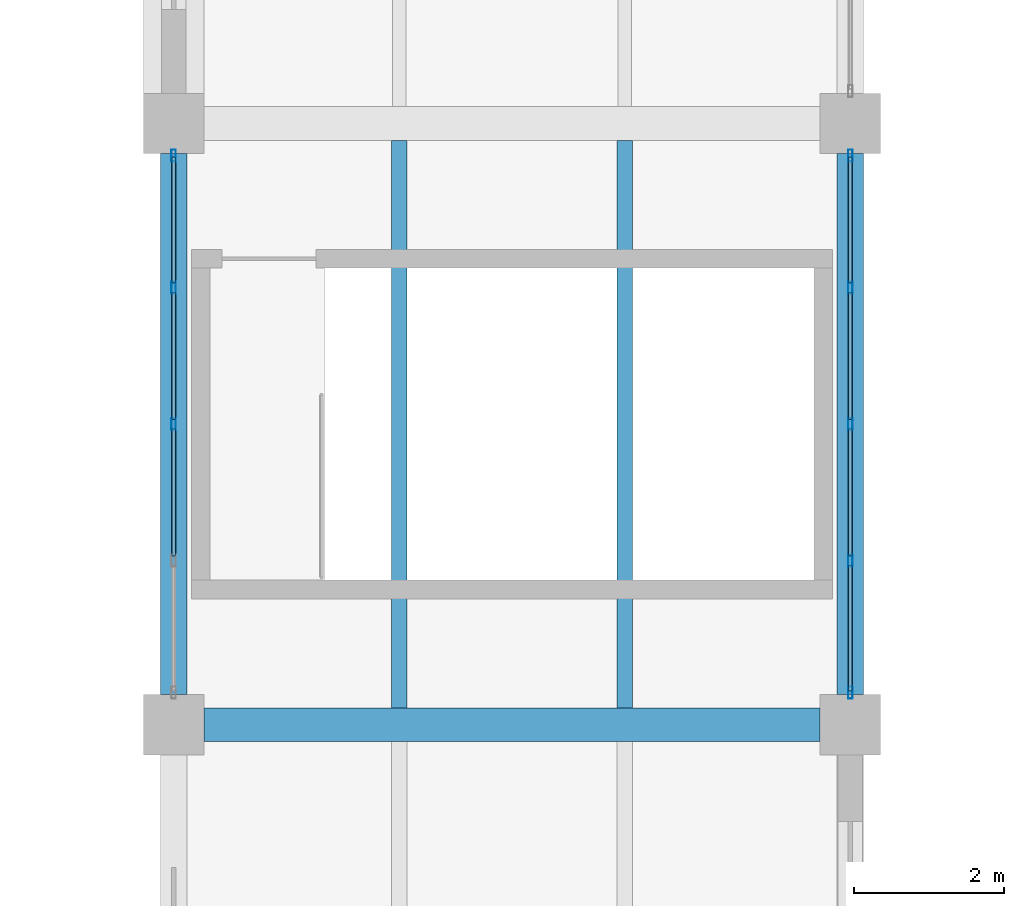
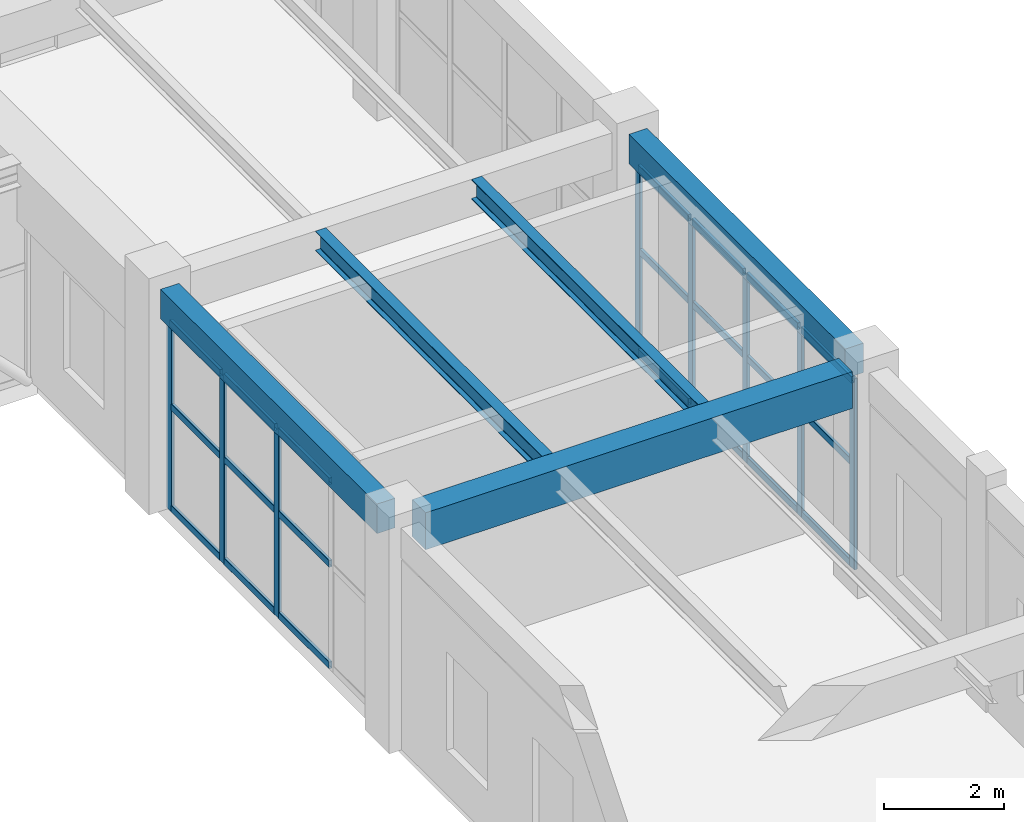
# One storey, part 64 of 178: 29 members, 5 beams, 2 elements without a shape of their own.
"""IFC4 building model written with IfcOpenShell, lengths in metres."""

from ifc_helpers import new_model, si_unit, derived_unit, direction, frame, origin, origin_2d, place, context, subcontext, project, spatial, rectangle, hollow_rectangle, i_section, extrude, material, material_profile, profile_set, type_object, element, aggregate, save


model = new_model("IFC4")

# Units and contexts
model_context = context("Model", 3, precision=1e-05, world=origin(), true_north=direction((0.0, 1.0)))
body_context = subcontext(model_context, "Body", "Model", "MODEL_VIEW")
ifc_project = project(units=[si_unit("LENGTHUNIT", "METRE"), si_unit("AREAUNIT", "SQUARE_METRE"), si_unit("VOLUMEUNIT", "CUBIC_METRE"), si_unit("PLANEANGLEUNIT", "RADIAN"), si_unit("MASSUNIT", "GRAM", prefix="KILO"), derived_unit("THERMALTRANSMITTANCEUNIT", [(si_unit("MASSUNIT", "GRAM", prefix="KILO"), 1), (si_unit("TIMEUNIT", "SECOND"), -3), (si_unit("THERMODYNAMICTEMPERATUREUNIT", "KELVIN"), -1)])], contexts=[model_context])

# Site, building, storey
site_placement = place(None, origin())
site = spatial("IfcSite", under=ifc_project, at=site_placement, CompositionType="ELEMENT")
building_placement = place(site_placement, origin())
building = spatial("IfcBuilding", under=site, at=building_placement, Name="Zhenchuan Archway Interchange", CompositionType="ELEMENT")
storey_placement = place(building_placement, frame((0.0, 0.0, 5.39990234375)))
storey = spatial("IfcBuildingStorey", under=building, at=storey_placement, Name="L01", CompositionType="ELEMENT", Elevation=5.39990234375)

# Beam
ifc_material_1 = material(Name="Concrete C40", Category="concrete")
ifc_material_profile_1 = material_profile(ifc_material_1, rectangle(XDim=0.449951171875, YDim=0.75, at=origin_2d()), Name="RC 450x750")
ifc_profile_set_1 = profile_set([ifc_material_profile_1], Name="Concrete C40")
beam_type_1 = type_object("IfcBeamType", Name="BM_RC_450x750", PredefinedType="BEAM", material=ifc_profile_set_1)
beam_placement = place(storey_placement, frame((99.39990234375, 40.0, 4.135009765625), z_axis=(1.0, 0.0, 0.0), x_axis=(0.0, 1.0, 0.0)))
element("IfcBeam", 1, at=beam_placement, inside=storey, type_object=beam_type_1, Name="Beam F:12-13 (L01)", PredefinedType="BEAM", context=body_context, shape_type="SweptSolid", body=[
    extrude(rectangle(XDim=0.449951171875, YDim=0.75, at=origin_2d()), origin(), (0.0, 0.0, 1.0), 8.2001953125),
])

# Curtain wall, members
ifc_material_2 = material(Name="Anodised Aluminium", Category="aluminium")
curtain_wall_type_1 = type_object("IfcCurtainWallType", Name="CW_UNIT_3", PredefinedType="NOTDEFINED", material=ifc_material_2)
curtain_wall_1_placement = place(storey_placement, origin())
curtain_wall_1 = element("IfcCurtainWall", 2, at=curtain_wall_1_placement, inside=storey, type_object=curtain_wall_type_1, Name="Unitised curtain wall CW:L01:074", PredefinedType="NOTDEFINED")
ifc_material_profile_2 = material_profile(ifc_material_2, hollow_rectangle(XDim=0.06005859375, YDim=0.159912109375, WallThickness=0.00390625, InnerFilletRadius=0.00390625, OuterFilletRadius=0.008056640625, at=origin_2d()), Name="ALU 160x60x4")
ifc_profile_set_2 = profile_set([ifc_material_profile_2], Name="Anodised Aluminium")
member_type_1 = type_object("IfcMemberType", Name="CW_MUL_150", PredefinedType="MULLION", material=ifc_profile_set_2)
member_1_placement = place(storey_placement, frame((99.0, 44.0, 0.0), z_axis=(0.0, 0.0, 1.0), x_axis=(1.0, 0.0, 0.0)))
member_1 = element("IfcMember", 3, at=member_1_placement, type_object=member_type_1, Name="CW:L01:074 mullion 2", PredefinedType="MULLION", context=body_context, shape_type="SweptSolid", body=[
    extrude(hollow_rectangle(XDim=0.06005859375, YDim=0.159912109375, WallThickness=0.00390625, InnerFilletRadius=0.00390625, OuterFilletRadius=0.008056640625, at=origin_2d()), origin(), (0.0, 0.0, 1.0), 3.880126953125),
])
member_2_placement = place(storey_placement, frame((99.0, 45.81591796875, 0.0), z_axis=(0.0, 0.0, 1.0), x_axis=(1.0, 0.0, 0.0)))
member_2 = element("IfcMember", 4, at=member_2_placement, type_object=member_type_1, Name="CW:L01:074 mullion 3", PredefinedType="MULLION", context=body_context, shape_type="SweptSolid", body=[
    extrude(hollow_rectangle(XDim=0.06005859375, YDim=0.159912109375, WallThickness=0.00390625, InnerFilletRadius=0.00390625, OuterFilletRadius=0.008056640625, at=origin_2d()), origin(), (0.0, 0.0, 1.0), 3.880126953125),
])
member_3_placement = place(storey_placement, frame((99.0, 47.572021484375, 0.0), z_axis=(0.0, 0.0, 1.0), x_axis=(1.0, 0.0, 0.0)))
member_3 = element("IfcMember", 5, at=member_3_placement, type_object=member_type_1, Name="CW:L01:074 mullion 4", PredefinedType="MULLION", context=body_context, shape_type="SweptSolid", body=[
    extrude(hollow_rectangle(XDim=0.06005859375, YDim=0.159912109375, WallThickness=0.00390625, InnerFilletRadius=0.00390625, OuterFilletRadius=0.008056640625, at=origin_2d()), origin(), (0.0, 0.0, 1.0), 3.880126953125),
])

curtain_wall_type_2 = type_object("IfcCurtainWallType", Name="CW_UNIT_2", PredefinedType="NOTDEFINED", material=ifc_material_2)
curtain_wall_2_placement = place(storey_placement, origin())
curtain_wall_2 = element("IfcCurtainWall", 6, at=curtain_wall_2_placement, inside=storey, type_object=curtain_wall_type_2, Name="Unitised curtain wall CW:L01:101", PredefinedType="NOTDEFINED")
member_4_placement = place(storey_placement, frame((108.0, 47.572021484375, 0.0), z_axis=(0.0, 0.0, 1.0), x_axis=(1.0, 0.0, 0.0)))
member_4 = element("IfcMember", 7, at=member_4_placement, type_object=member_type_1, Name="CW:L01:101 mullion 0", PredefinedType="MULLION", context=body_context, shape_type="SweptSolid", body=[
    extrude(hollow_rectangle(XDim=0.06005859375, YDim=0.159912109375, WallThickness=0.00390625, InnerFilletRadius=0.00390625, OuterFilletRadius=0.008056640625, at=origin_2d()), origin(), (0.0, 0.0, 1.0), 3.880126953125),
])
member_5_placement = place(storey_placement, frame((108.0, 45.81591796875, 0.0), z_axis=(0.0, 0.0, 1.0), x_axis=(1.0, 0.0, 0.0)))
member_5 = element("IfcMember", 8, at=member_5_placement, type_object=member_type_1, Name="CW:L01:101 mullion 1", PredefinedType="MULLION", context=body_context, shape_type="SweptSolid", body=[
    extrude(hollow_rectangle(XDim=0.06005859375, YDim=0.159912109375, WallThickness=0.00390625, InnerFilletRadius=0.00390625, OuterFilletRadius=0.008056640625, at=origin_2d()), origin(), (0.0, 0.0, 1.0), 3.880126953125),
])
member_6_placement = place(storey_placement, frame((108.0, 44.0, 0.0), z_axis=(0.0, 0.0, 1.0), x_axis=(1.0, 0.0, 0.0)))
member_6 = element("IfcMember", 9, at=member_6_placement, type_object=member_type_1, Name="CW:L01:101 mullion 2", PredefinedType="MULLION", context=body_context, shape_type="SweptSolid", body=[
    extrude(hollow_rectangle(XDim=0.06005859375, YDim=0.159912109375, WallThickness=0.00390625, InnerFilletRadius=0.00390625, OuterFilletRadius=0.008056640625, at=origin_2d()), origin(), (0.0, 0.0, 1.0), 3.880126953125),
])
member_7_placement = place(storey_placement, frame((108.0, 42.18408203125, 0.0), z_axis=(0.0, 0.0, 1.0), x_axis=(1.0, 0.0, 0.0)))
member_7 = element("IfcMember", 10, at=member_7_placement, type_object=member_type_1, Name="CW:L01:101 mullion 3", PredefinedType="MULLION", context=body_context, shape_type="SweptSolid", body=[
    extrude(hollow_rectangle(XDim=0.06005859375, YDim=0.159912109375, WallThickness=0.00390625, InnerFilletRadius=0.00390625, OuterFilletRadius=0.008056640625, at=origin_2d()), origin(), (0.0, 0.0, 1.0), 3.880126953125),
])
member_8_placement = place(storey_placement, frame((108.0, 40.427978515625, 0.0), z_axis=(0.0, 0.0, 1.0), x_axis=(1.0, 0.0, 0.0)))
member_8 = element("IfcMember", 11, at=member_8_placement, type_object=member_type_1, Name="CW:L01:101 mullion 4", PredefinedType="MULLION", context=body_context, shape_type="SweptSolid", body=[
    extrude(hollow_rectangle(XDim=0.06005859375, YDim=0.159912109375, WallThickness=0.00390625, InnerFilletRadius=0.00390625, OuterFilletRadius=0.008056640625, at=origin_2d()), origin(), (0.0, 0.0, 1.0), 3.880126953125),
])

# Member
ifc_material_profile_3 = material_profile(ifc_material_2, hollow_rectangle(XDim=0.06005859375, YDim=0.139892578125, WallThickness=0.00341796875, InnerFilletRadius=0.00341796875, OuterFilletRadius=0.007080078125, at=origin_2d()), Name="ALU 140x60x3.5")
ifc_profile_set_3 = profile_set([ifc_material_profile_3], Name="Anodised Aluminium")
member_type_2 = type_object("IfcMemberType", Name="CW_TRN_140", PredefinedType="USERDEFINED", material=ifc_profile_set_3)
member_9_placement = place(storey_placement, frame((99.0, 42.243896484375, 0.06005859375), z_axis=(0.0, 1.0, 0.0), x_axis=(-1.0, 0.0, 0.0)))
member_9 = element("IfcMember", 12, at=member_9_placement, type_object=member_type_2, Name="CW:L01:074 transom 1-1", ObjectType="TRANSOM", PredefinedType="USERDEFINED", context=body_context, shape_type="SweptSolid", body=[
    extrude(hollow_rectangle(XDim=0.06005859375, YDim=0.139892578125, WallThickness=0.00341796875, InnerFilletRadius=0.00341796875, OuterFilletRadius=0.007080078125, at=origin_2d()), origin(), (0.0, 0.0, 1.0), 1.696044921875),
])

member_10_placement = place(storey_placement, frame((99.0, 42.243896484375, 2.123046875), z_axis=(0.0, 1.0, 0.0), x_axis=(-1.0, 0.0, 0.0)))
member_10 = element("IfcMember", 13, at=member_10_placement, type_object=member_type_2, Name="CW:L01:074 transom 1-2", ObjectType="TRANSOM", PredefinedType="USERDEFINED", context=body_context, shape_type="SweptSolid", body=[
    extrude(hollow_rectangle(XDim=0.06005859375, YDim=0.139892578125, WallThickness=0.00341796875, InnerFilletRadius=0.00341796875, OuterFilletRadius=0.007080078125, at=origin_2d()), origin(), (0.0, 0.0, 1.0), 1.696044921875),
])

member_11_placement = place(storey_placement, frame((99.0, 42.243896484375, 3.800048828125), z_axis=(0.0, 1.0, 0.0), x_axis=(-1.0, 0.0, 0.0)))
member_11 = element("IfcMember", 14, at=member_11_placement, type_object=member_type_2, Name="CW:L01:074 transom 1-3", ObjectType="TRANSOM", PredefinedType="USERDEFINED", context=body_context, shape_type="SweptSolid", body=[
    extrude(hollow_rectangle(XDim=0.06005859375, YDim=0.139892578125, WallThickness=0.00341796875, InnerFilletRadius=0.00341796875, OuterFilletRadius=0.007080078125, at=origin_2d()), origin(), (0.0, 0.0, 1.0), 1.696044921875),
])

member_12_placement = place(storey_placement, frame((99.0, 44.06005859375, 0.06005859375), z_axis=(0.0, 1.0, 0.0), x_axis=(-1.0, 0.0, 0.0)))
member_12 = element("IfcMember", 15, at=member_12_placement, type_object=member_type_2, Name="CW:L01:074 transom 2-1", ObjectType="TRANSOM", PredefinedType="USERDEFINED", context=body_context, shape_type="SweptSolid", body=[
    extrude(hollow_rectangle(XDim=0.06005859375, YDim=0.139892578125, WallThickness=0.00341796875, InnerFilletRadius=0.00341796875, OuterFilletRadius=0.007080078125, at=origin_2d()), origin(), (0.0, 0.0, 1.0), 1.696044921875),
])

member_13_placement = place(storey_placement, frame((99.0, 44.06005859375, 2.123046875), z_axis=(0.0, 1.0, 0.0), x_axis=(-1.0, 0.0, 0.0)))
member_13 = element("IfcMember", 16, at=member_13_placement, type_object=member_type_2, Name="CW:L01:074 transom 2-2", ObjectType="TRANSOM", PredefinedType="USERDEFINED", context=body_context, shape_type="SweptSolid", body=[
    extrude(hollow_rectangle(XDim=0.06005859375, YDim=0.139892578125, WallThickness=0.00341796875, InnerFilletRadius=0.00341796875, OuterFilletRadius=0.007080078125, at=origin_2d()), origin(), (0.0, 0.0, 1.0), 1.696044921875),
])

member_14_placement = place(storey_placement, frame((99.0, 44.06005859375, 3.800048828125), z_axis=(0.0, 1.0, 0.0), x_axis=(-1.0, 0.0, 0.0)))
member_14 = element("IfcMember", 17, at=member_14_placement, type_object=member_type_2, Name="CW:L01:074 transom 2-3", ObjectType="TRANSOM", PredefinedType="USERDEFINED", context=body_context, shape_type="SweptSolid", body=[
    extrude(hollow_rectangle(XDim=0.06005859375, YDim=0.139892578125, WallThickness=0.00341796875, InnerFilletRadius=0.00341796875, OuterFilletRadius=0.007080078125, at=origin_2d()), origin(), (0.0, 0.0, 1.0), 1.696044921875),
])

member_15_placement = place(storey_placement, frame((99.0, 45.8759765625, 0.06005859375), z_axis=(0.0, 1.0, 0.0), x_axis=(-1.0, 0.0, 0.0)))
member_15 = element("IfcMember", 18, at=member_15_placement, type_object=member_type_2, Name="CW:L01:074 transom 3-1", ObjectType="TRANSOM", PredefinedType="USERDEFINED", context=body_context, shape_type="SweptSolid", body=[
    extrude(hollow_rectangle(XDim=0.06005859375, YDim=0.139892578125, WallThickness=0.00341796875, InnerFilletRadius=0.00341796875, OuterFilletRadius=0.007080078125, at=origin_2d()), origin(), (0.0, 0.0, 1.0), 1.676025390625),
])

member_16_placement = place(storey_placement, frame((99.0, 45.8759765625, 2.123046875), z_axis=(0.0, 1.0, 0.0), x_axis=(-1.0, 0.0, 0.0)))
member_16 = element("IfcMember", 19, at=member_16_placement, type_object=member_type_2, Name="CW:L01:074 transom 3-2", ObjectType="TRANSOM", PredefinedType="USERDEFINED", context=body_context, shape_type="SweptSolid", body=[
    extrude(hollow_rectangle(XDim=0.06005859375, YDim=0.139892578125, WallThickness=0.00341796875, InnerFilletRadius=0.00341796875, OuterFilletRadius=0.007080078125, at=origin_2d()), origin(), (0.0, 0.0, 1.0), 1.676025390625),
])

member_17_placement = place(storey_placement, frame((99.0, 45.8759765625, 3.800048828125), z_axis=(0.0, 1.0, 0.0), x_axis=(-1.0, 0.0, 0.0)))
member_17 = element("IfcMember", 20, at=member_17_placement, type_object=member_type_2, Name="CW:L01:074 transom 3-3", ObjectType="TRANSOM", PredefinedType="USERDEFINED", context=body_context, shape_type="SweptSolid", body=[
    extrude(hollow_rectangle(XDim=0.06005859375, YDim=0.139892578125, WallThickness=0.00341796875, InnerFilletRadius=0.00341796875, OuterFilletRadius=0.007080078125, at=origin_2d()), origin(), (0.0, 0.0, 1.0), 1.676025390625),
])

aggregate(curtain_wall_1, [member_1, member_2, member_3, member_9, member_10, member_11, member_12, member_13, member_14, member_15, member_16, member_17])

member_18_placement = place(storey_placement, frame((108.0, 47.552001953125, 0.06005859375), z_axis=(0.0, -1.0, 0.0), x_axis=(1.0, 0.0, 0.0)))
member_18 = element("IfcMember", 21, at=member_18_placement, type_object=member_type_2, Name="CW:L01:101 transom 0-1", ObjectType="TRANSOM", PredefinedType="USERDEFINED", context=body_context, shape_type="SweptSolid", body=[
    extrude(hollow_rectangle(XDim=0.06005859375, YDim=0.139892578125, WallThickness=0.00341796875, InnerFilletRadius=0.00341796875, OuterFilletRadius=0.007080078125, at=origin_2d()), origin(), (0.0, 0.0, 1.0), 1.676025390625),
])

member_19_placement = place(storey_placement, frame((108.0, 47.552001953125, 2.123046875), z_axis=(0.0, -1.0, 0.0), x_axis=(1.0, 0.0, 0.0)))
member_19 = element("IfcMember", 22, at=member_19_placement, type_object=member_type_2, Name="CW:L01:101 transom 0-2", ObjectType="TRANSOM", PredefinedType="USERDEFINED", context=body_context, shape_type="SweptSolid", body=[
    extrude(hollow_rectangle(XDim=0.06005859375, YDim=0.139892578125, WallThickness=0.00341796875, InnerFilletRadius=0.00341796875, OuterFilletRadius=0.007080078125, at=origin_2d()), origin(), (0.0, 0.0, 1.0), 1.676025390625),
])

member_20_placement = place(storey_placement, frame((108.0, 47.552001953125, 3.800048828125), z_axis=(0.0, -1.0, 0.0), x_axis=(1.0, 0.0, 0.0)))
member_20 = element("IfcMember", 23, at=member_20_placement, type_object=member_type_2, Name="CW:L01:101 transom 0-3", ObjectType="TRANSOM", PredefinedType="USERDEFINED", context=body_context, shape_type="SweptSolid", body=[
    extrude(hollow_rectangle(XDim=0.06005859375, YDim=0.139892578125, WallThickness=0.00341796875, InnerFilletRadius=0.00341796875, OuterFilletRadius=0.007080078125, at=origin_2d()), origin(), (0.0, 0.0, 1.0), 1.676025390625),
])

member_21_placement = place(storey_placement, frame((108.0, 45.756103515625, 0.06005859375), z_axis=(0.0, -1.0, 0.0), x_axis=(1.0, 0.0, 0.0)))
member_21 = element("IfcMember", 24, at=member_21_placement, type_object=member_type_2, Name="CW:L01:101 transom 1-1", ObjectType="TRANSOM", PredefinedType="USERDEFINED", context=body_context, shape_type="SweptSolid", body=[
    extrude(hollow_rectangle(XDim=0.06005859375, YDim=0.139892578125, WallThickness=0.00341796875, InnerFilletRadius=0.00341796875, OuterFilletRadius=0.007080078125, at=origin_2d()), origin(), (0.0, 0.0, 1.0), 1.696044921875),
])

member_22_placement = place(storey_placement, frame((108.0, 45.756103515625, 2.123046875), z_axis=(0.0, -1.0, 0.0), x_axis=(1.0, 0.0, 0.0)))
member_22 = element("IfcMember", 25, at=member_22_placement, type_object=member_type_2, Name="CW:L01:101 transom 1-2", ObjectType="TRANSOM", PredefinedType="USERDEFINED", context=body_context, shape_type="SweptSolid", body=[
    extrude(hollow_rectangle(XDim=0.06005859375, YDim=0.139892578125, WallThickness=0.00341796875, InnerFilletRadius=0.00341796875, OuterFilletRadius=0.007080078125, at=origin_2d()), origin(), (0.0, 0.0, 1.0), 1.696044921875),
])

member_23_placement = place(storey_placement, frame((108.0, 45.756103515625, 3.800048828125), z_axis=(0.0, -1.0, 0.0), x_axis=(1.0, 0.0, 0.0)))
member_23 = element("IfcMember", 26, at=member_23_placement, type_object=member_type_2, Name="CW:L01:101 transom 1-3", ObjectType="TRANSOM", PredefinedType="USERDEFINED", context=body_context, shape_type="SweptSolid", body=[
    extrude(hollow_rectangle(XDim=0.06005859375, YDim=0.139892578125, WallThickness=0.00341796875, InnerFilletRadius=0.00341796875, OuterFilletRadius=0.007080078125, at=origin_2d()), origin(), (0.0, 0.0, 1.0), 1.696044921875),
])

member_24_placement = place(storey_placement, frame((108.0, 43.93994140625, 0.06005859375), z_axis=(0.0, -1.0, 0.0), x_axis=(1.0, 0.0, 0.0)))
member_24 = element("IfcMember", 27, at=member_24_placement, type_object=member_type_2, Name="CW:L01:101 transom 2-1", ObjectType="TRANSOM", PredefinedType="USERDEFINED", context=body_context, shape_type="SweptSolid", body=[
    extrude(hollow_rectangle(XDim=0.06005859375, YDim=0.139892578125, WallThickness=0.00341796875, InnerFilletRadius=0.00341796875, OuterFilletRadius=0.007080078125, at=origin_2d()), origin(), (0.0, 0.0, 1.0), 1.696044921875),
])

member_25_placement = place(storey_placement, frame((108.0, 43.93994140625, 2.123046875), z_axis=(0.0, -1.0, 0.0), x_axis=(1.0, 0.0, 0.0)))
member_25 = element("IfcMember", 28, at=member_25_placement, type_object=member_type_2, Name="CW:L01:101 transom 2-2", ObjectType="TRANSOM", PredefinedType="USERDEFINED", context=body_context, shape_type="SweptSolid", body=[
    extrude(hollow_rectangle(XDim=0.06005859375, YDim=0.139892578125, WallThickness=0.00341796875, InnerFilletRadius=0.00341796875, OuterFilletRadius=0.007080078125, at=origin_2d()), origin(), (0.0, 0.0, 1.0), 1.696044921875),
])

member_26_placement = place(storey_placement, frame((108.0, 43.93994140625, 3.800048828125), z_axis=(0.0, -1.0, 0.0), x_axis=(1.0, 0.0, 0.0)))
member_26 = element("IfcMember", 29, at=member_26_placement, type_object=member_type_2, Name="CW:L01:101 transom 2-3", ObjectType="TRANSOM", PredefinedType="USERDEFINED", context=body_context, shape_type="SweptSolid", body=[
    extrude(hollow_rectangle(XDim=0.06005859375, YDim=0.139892578125, WallThickness=0.00341796875, InnerFilletRadius=0.00341796875, OuterFilletRadius=0.007080078125, at=origin_2d()), origin(), (0.0, 0.0, 1.0), 1.696044921875),
])

member_27_placement = place(storey_placement, frame((108.0, 42.1240234375, 0.06005859375), z_axis=(0.0, -1.0, 0.0), x_axis=(1.0, 0.0, 0.0)))
member_27 = element("IfcMember", 30, at=member_27_placement, type_object=member_type_2, Name="CW:L01:101 transom 3-1", ObjectType="TRANSOM", PredefinedType="USERDEFINED", context=body_context, shape_type="SweptSolid", body=[
    extrude(hollow_rectangle(XDim=0.06005859375, YDim=0.139892578125, WallThickness=0.00341796875, InnerFilletRadius=0.00341796875, OuterFilletRadius=0.007080078125, at=origin_2d()), origin(), (0.0, 0.0, 1.0), 1.676025390625),
])

member_28_placement = place(storey_placement, frame((108.0, 42.1240234375, 2.123046875), z_axis=(0.0, -1.0, 0.0), x_axis=(1.0, 0.0, 0.0)))
member_28 = element("IfcMember", 31, at=member_28_placement, type_object=member_type_2, Name="CW:L01:101 transom 3-2", ObjectType="TRANSOM", PredefinedType="USERDEFINED", context=body_context, shape_type="SweptSolid", body=[
    extrude(hollow_rectangle(XDim=0.06005859375, YDim=0.139892578125, WallThickness=0.00341796875, InnerFilletRadius=0.00341796875, OuterFilletRadius=0.007080078125, at=origin_2d()), origin(), (0.0, 0.0, 1.0), 1.676025390625),
])

member_29_placement = place(storey_placement, frame((108.0, 42.1240234375, 3.800048828125), z_axis=(0.0, -1.0, 0.0), x_axis=(1.0, 0.0, 0.0)))
member_29 = element("IfcMember", 32, at=member_29_placement, type_object=member_type_2, Name="CW:L01:101 transom 3-3", ObjectType="TRANSOM", PredefinedType="USERDEFINED", context=body_context, shape_type="SweptSolid", body=[
    extrude(hollow_rectangle(XDim=0.06005859375, YDim=0.139892578125, WallThickness=0.00341796875, InnerFilletRadius=0.00341796875, OuterFilletRadius=0.007080078125, at=origin_2d()), origin(), (0.0, 0.0, 1.0), 1.676025390625),
])

aggregate(curtain_wall_2, [member_4, member_5, member_6, member_7, member_8, member_18, member_19, member_20, member_21, member_22, member_23, member_24, member_25, member_26, member_27, member_28, member_29])

# Beams
ifc_material_3 = material(Name="Steel Q355", Category="steel")
ifc_material_profile_4 = material_profile(ifc_material_3, i_section(OverallWidth=0.199951171875, OverallDepth=0.39990234375, WebThickness=0.008056640625, FlangeThickness=0.012939453125, FilletRadius=0.01611328125, at=origin_2d()), Name="HN 400x200")
ifc_profile_set_4 = profile_set([ifc_material_profile_4], Name="Steel Q355")
beam_type_2 = type_object("IfcBeamType", Name="JST_STL_HN400", PredefinedType="JOIST", material=ifc_profile_set_4)
for number, where, z_axis, x_axis, name in (
    (33, (102.0, 40.22509765625, 4.31005859375), (0.0, 1.0, 0.0), (-1.0, 0.0, 0.0), "Secondary joist 12-13/F-G #1 (L01)"),
    (34, (105.0, 40.22509765625, 4.31005859375), (0.0, 1.0, 0.0), (-1.0, 0.0, 0.0), "Secondary joist 12-13/F-G #2 (L01)"),
):
    element("IfcBeam", number, at=place(storey_placement, frame(where, z_axis=z_axis, x_axis=x_axis)), inside=storey, type_object=beam_type_2, Name=name, PredefinedType="JOIST", context=body_context, shape_type="SweptSolid", body=[
        extrude(i_section(OverallWidth=0.199951171875, OverallDepth=0.39990234375, WebThickness=0.008056640625, FlangeThickness=0.012939453125, FilletRadius=0.01611328125, at=origin_2d()), origin(), (0.0, 0.0, 1.0), 7.5498046875),
    ])
ifc_material_profile_5 = material_profile(ifc_material_1, rectangle(XDim=0.35009765625, YDim=0.60009765625, at=origin_2d()), Name="RC 350x600")
ifc_profile_set_5 = profile_set([ifc_material_profile_5], Name="Concrete C40")
beam_type_3 = type_object("IfcBeamType", Name="SP_RC_350x600", PredefinedType="SPANDREL", material=ifc_profile_set_5)
for number, where, z_axis, x_axis, name in (
    (35, (99.0, 40.39990234375, 4.210205078125), (0.0, 1.0, 0.0), (-1.0, 0.0, 0.0), "Beam 12:F-G (L01)"),
    (36, (108.0, 40.39990234375, 4.210205078125), (0.0, 1.0, 0.0), (-1.0, 0.0, 0.0), "Beam 13:F-G (L01)"),
):
    element("IfcBeam", number, at=place(storey_placement, frame(where, z_axis=z_axis, x_axis=x_axis)), inside=storey, type_object=beam_type_3, Name=name, PredefinedType="SPANDREL", context=body_context, shape_type="SweptSolid", body=[
        extrude(rectangle(XDim=0.35009765625, YDim=0.60009765625, at=origin_2d()), origin(), (0.0, 0.0, 1.0), 7.2001953125),
    ])

save(model, "model.ifc")
